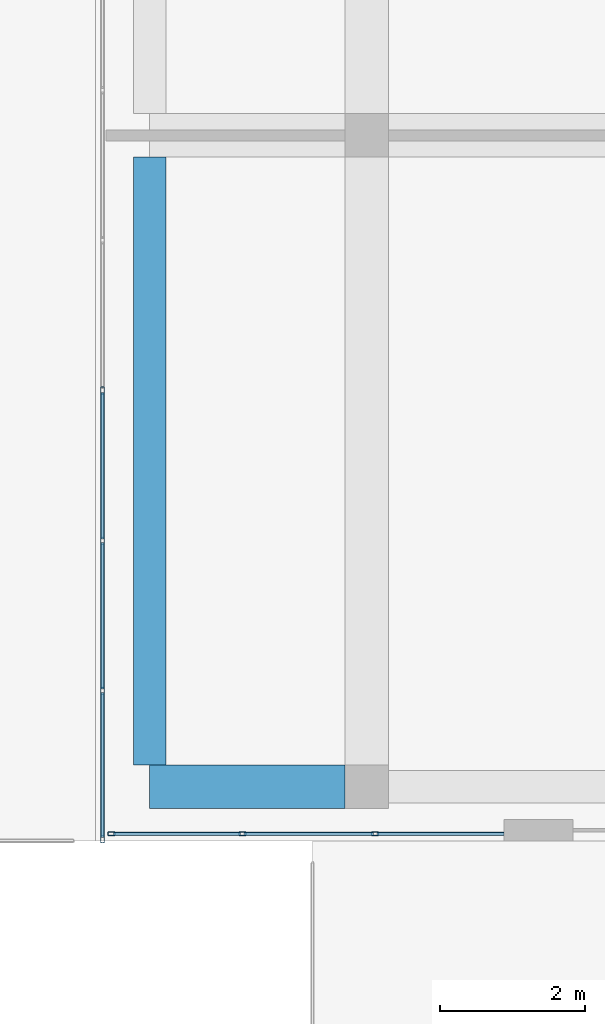
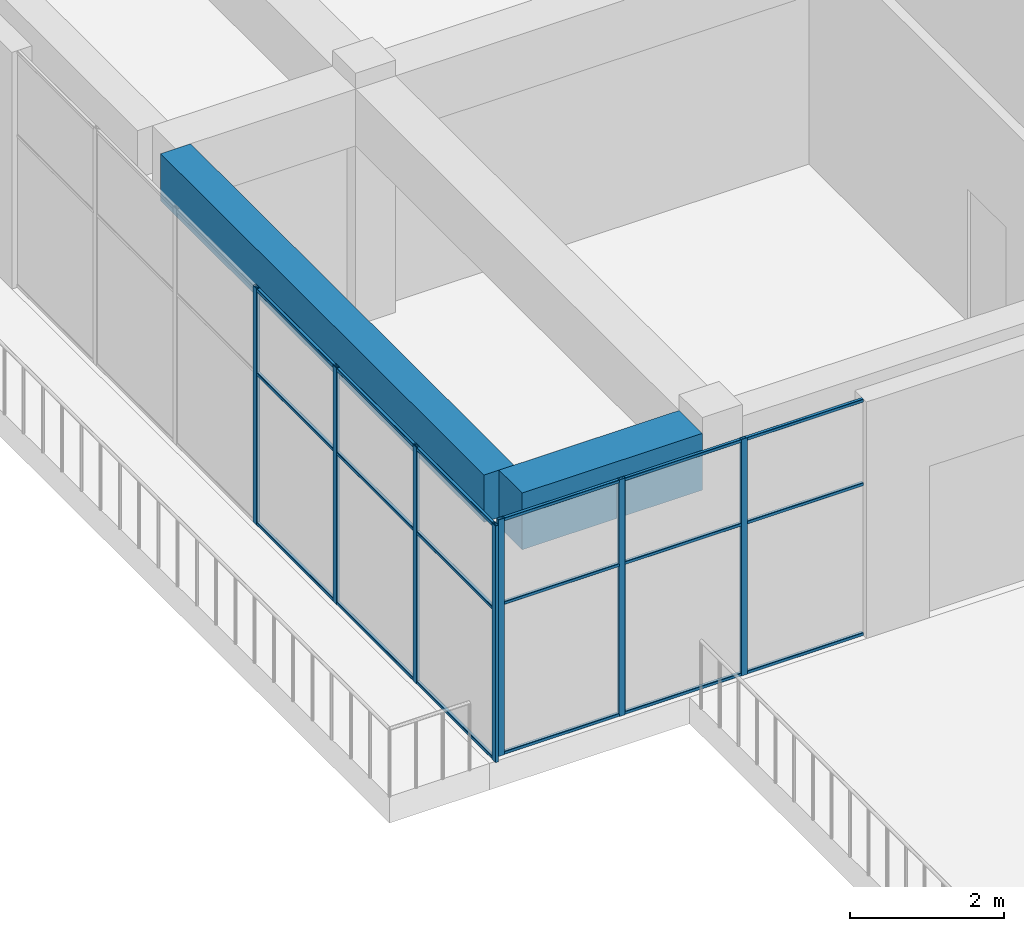
# One storey, part 1 of 32: 25 members, 2 beams, 2 elements without a shape of their own.
"""IFC4 building model written with IfcOpenShell, lengths in metres."""

from ifc_helpers import new_model, si_unit, direction, frame, origin, origin_2d, place, context, subcontext, project, spatial, rectangle, hollow_rectangle, extrude, material, layer, layer_set, material_profile, profile_set, type_object, element, aggregate, save


model = new_model("IFC4")

# Units and contexts
model_context = context("Model", 3, precision=1e-05, world=origin(), true_north=direction((0.0, 1.0)))
body_context = subcontext(model_context, "Body", "Model", "MODEL_VIEW")
ifc_project = project(units=[si_unit("LENGTHUNIT", "METRE"), si_unit("AREAUNIT", "SQUARE_METRE"), si_unit("VOLUMEUNIT", "CUBIC_METRE"), si_unit("PLANEANGLEUNIT", "RADIAN"), si_unit("MASSUNIT", "GRAM", prefix="KILO")], contexts=[model_context])

# Site, building, storey
site_placement = place(None, origin())
site = spatial("IfcSite", under=ifc_project, at=site_placement, CompositionType="ELEMENT")
building_placement = place(site_placement, origin())
building = spatial("IfcBuilding", under=site, at=building_placement, Name="Tuart Plaza Theatre", CompositionType="ELEMENT")
storey_placement = place(building_placement, frame((0.0, 0.0, 41.5)))
storey = spatial("IfcBuildingStorey", under=building, at=storey_placement, Name="L10", CompositionType="ELEMENT", Elevation=41.5)

# Beams
ifc_material_1 = material(Name="Concrete N40 (40 MPa)", Category="concrete")
ifc_material_profile_1 = material_profile(ifc_material_1, rectangle(XDim=0.449951171875, YDim=0.75, at=origin_2d()), Name="BEAM 450x750 Concrete N40 (40 MPa)")
ifc_profile_set_1 = profile_set([ifc_material_profile_1], Name="Concrete N40 (40 MPa)")
beam_type_1 = type_object("IfcBeamType", Name="BEAM 450x750 Concrete N40 (40 MPa)", PredefinedType="BEAM", material=ifc_profile_set_1)
beam_1_placement = place(storey_placement, frame((111.0, 65.300048828125, 3.375), z_axis=(0.0, 1.0, 0.0), x_axis=(-1.0, 0.0, 0.0)))
element("IfcBeam", 1, at=beam_1_placement, inside=storey, type_object=beam_type_1, Name="RB282", PredefinedType="BEAM", context=body_context, shape_type="SweptSolid", body=[
    extrude(rectangle(XDim=0.449951171875, YDim=0.75, at=origin_2d()), origin(), (0.0, 0.0, 1.0), 8.39990234375),
])
ifc_material_2 = material(Name="Concrete N40 (40 MPa)", Category="concrete")
ifc_material_profile_2 = material_profile(ifc_material_2, rectangle(XDim=0.60009765625, YDim=0.89990234375, at=origin_2d()), Name="BEAM 600x900 Concrete N40 (40 MPa)")
ifc_profile_set_2 = profile_set([ifc_material_profile_2], Name="Concrete N40 (40 MPa)")
beam_type_2 = type_object("IfcBeamType", Name="BEAM 600x900 Concrete N40 (40 MPa)", PredefinedType="BEAM", material=ifc_profile_set_2)
beam_2_placement = place(storey_placement, frame((111.0, 65.0, 3.300048828125), z_axis=(1.0, 0.0, 0.0), x_axis=(0.0, 1.0, 0.0)))
element("IfcBeam", 2, at=beam_2_placement, inside=storey, type_object=beam_type_2, Name="RB283", PredefinedType="BEAM", context=body_context, shape_type="SweptSolid", body=[
    extrude(rectangle(XDim=0.60009765625, YDim=0.89990234375, at=origin_2d()), origin(), (0.0, 0.0, 1.0), 2.699951171875),
])

# Curtain wall, members
ifc_material_3 = material(Name="Aluminium and glass", Category="aluminium")
ifc_layer = layer(ifc_material_3, 0.10009765625)
ifc_layer_set = layer_set([ifc_layer], Name="CURTAIN WALL 2000 module")
curtain_wall_type = type_object("IfcCurtainWallType", Name="CURTAIN WALL 2000 module", PredefinedType="NOTDEFINED", material=ifc_layer_set)
curtain_wall_1_placement = place(storey_placement, origin())
curtain_wall_1 = element("IfcCurtainWall", 3, at=curtain_wall_1_placement, inside=storey, type_object=curtain_wall_type, Name="CW107", PredefinedType="NOTDEFINED")
ifc_material_4 = material(Name="Aluminium 6063-T5", Category="aluminium")
ifc_material_profile_3 = material_profile(ifc_material_4, hollow_rectangle(XDim=0.050048828125, YDim=0.10009765625, WallThickness=0.00390625, InnerFilletRadius=0.00390625, OuterFilletRadius=0.008056640625, at=origin_2d()), Name="RHS 100x50x4")
ifc_profile_set_3 = profile_set([ifc_material_profile_3], Name="Aluminium 6063-T5")
member_type_1 = type_object("IfcMemberType", Name="MULLION RHS 100x50x4", PredefinedType="MULLION", material=ifc_profile_set_3)
member_1_placement = place(storey_placement, frame((110.35009765625, 70.47509765625, 0.0), z_axis=(0.0, 0.0, 1.0), x_axis=(1.0, 0.0, 0.0)))
member_1 = element("IfcMember", 4, at=member_1_placement, type_object=member_type_1, Name="CW107 mullion 4", PredefinedType="MULLION", context=body_context, shape_type="SweptSolid", body=[
    extrude(hollow_rectangle(XDim=0.050048828125, YDim=0.10009765625, WallThickness=0.00390625, InnerFilletRadius=0.00390625, OuterFilletRadius=0.008056640625, at=origin_2d()), origin(), (0.0, 0.0, 1.0), 3.75),
])
member_2_placement = place(storey_placement, frame((110.35009765625, 68.39990234375, 0.0), z_axis=(0.0, 0.0, 1.0), x_axis=(1.0, 0.0, 0.0)))
member_2 = element("IfcMember", 5, at=member_2_placement, type_object=member_type_1, Name="CW107 mullion 5", PredefinedType="MULLION", context=body_context, shape_type="SweptSolid", body=[
    extrude(hollow_rectangle(XDim=0.050048828125, YDim=0.10009765625, WallThickness=0.00390625, InnerFilletRadius=0.00390625, OuterFilletRadius=0.008056640625, at=origin_2d()), origin(), (0.0, 0.0, 1.0), 3.75),
])
member_3_placement = place(storey_placement, frame((110.35009765625, 66.324951171875, 0.0), z_axis=(0.0, 0.0, 1.0), x_axis=(1.0, 0.0, 0.0)))
member_3 = element("IfcMember", 6, at=member_3_placement, type_object=member_type_1, Name="CW107 mullion 6", PredefinedType="MULLION", context=body_context, shape_type="SweptSolid", body=[
    extrude(hollow_rectangle(XDim=0.050048828125, YDim=0.10009765625, WallThickness=0.00390625, InnerFilletRadius=0.00390625, OuterFilletRadius=0.008056640625, at=origin_2d()), origin(), (0.0, 0.0, 1.0), 3.75),
])
member_4_placement = place(storey_placement, frame((110.35009765625, 64.27490234375, 0.0), z_axis=(0.0, 0.0, 1.0), x_axis=(1.0, 0.0, 0.0)))
member_4 = element("IfcMember", 7, at=member_4_placement, type_object=member_type_1, Name="CW107 mullion 7", PredefinedType="MULLION", context=body_context, shape_type="SweptSolid", body=[
    extrude(hollow_rectangle(XDim=0.050048828125, YDim=0.10009765625, WallThickness=0.00390625, InnerFilletRadius=0.00390625, OuterFilletRadius=0.008056640625, at=origin_2d()), origin(), (0.0, 0.0, 1.0), 3.75),
])

curtain_wall_2_placement = place(storey_placement, origin())
curtain_wall_2 = element("IfcCurtainWall", 8, at=curtain_wall_2_placement, inside=storey, type_object=curtain_wall_type, Name="CW108", PredefinedType="NOTDEFINED")
member_5_placement = place(storey_placement, frame((110.47509765625, 64.35009765625, 0.0), z_axis=(0.0, 0.0, 1.0), x_axis=(0.0, 1.0, 0.0)))
member_5 = element("IfcMember", 9, at=member_5_placement, type_object=member_type_1, Name="CW108 mullion 1", PredefinedType="MULLION", context=body_context, shape_type="SweptSolid", body=[
    extrude(hollow_rectangle(XDim=0.050048828125, YDim=0.10009765625, WallThickness=0.00390625, InnerFilletRadius=0.00390625, OuterFilletRadius=0.008056640625, at=origin_2d()), origin(), (0.0, 0.0, 1.0), 3.75),
])
member_6_placement = place(storey_placement, frame((112.283447265625, 64.35009765625, 0.0), z_axis=(0.0, 0.0, 1.0), x_axis=(0.0, 1.0, 0.0)))
member_6 = element("IfcMember", 10, at=member_6_placement, type_object=member_type_1, Name="CW108 mullion 2", PredefinedType="MULLION", context=body_context, shape_type="SweptSolid", body=[
    extrude(hollow_rectangle(XDim=0.050048828125, YDim=0.10009765625, WallThickness=0.00390625, InnerFilletRadius=0.00390625, OuterFilletRadius=0.008056640625, at=origin_2d()), origin(), (0.0, 0.0, 1.0), 3.75),
])
member_7_placement = place(storey_placement, frame((114.11669921875, 64.35009765625, 0.0), z_axis=(0.0, 0.0, 1.0), x_axis=(0.0, 1.0, 0.0)))
member_7 = element("IfcMember", 11, at=member_7_placement, type_object=member_type_1, Name="CW108 mullion 3", PredefinedType="MULLION", context=body_context, shape_type="SweptSolid", body=[
    extrude(hollow_rectangle(XDim=0.050048828125, YDim=0.10009765625, WallThickness=0.00390625, InnerFilletRadius=0.00390625, OuterFilletRadius=0.008056640625, at=origin_2d()), origin(), (0.0, 0.0, 1.0), 3.75),
])

# Member
ifc_material_5 = material(Name="Aluminium 6063-T5", Category="aluminium")
ifc_material_profile_4 = material_profile(ifc_material_5, hollow_rectangle(XDim=0.050048828125, YDim=0.050048828125, WallThickness=0.00390625, InnerFilletRadius=0.00390625, OuterFilletRadius=0.008056640625, at=origin_2d()), Name="RHS 50x50x4")
ifc_profile_set_4 = profile_set([ifc_material_profile_4], Name="Aluminium 6063-T5")
member_type_2 = type_object("IfcMemberType", Name="TRANSOM RHS 50x50x4", PredefinedType="USERDEFINED", material=ifc_profile_set_4)
member_8_placement = place(storey_placement, frame((110.35009765625, 70.449951171875, 0.02490234375), z_axis=(0.0, -1.0, 0.0), x_axis=(1.0, 0.0, 0.0)))
member_8 = element("IfcMember", 12, at=member_8_placement, type_object=member_type_2, Name="CW107 transom 4.1", ObjectType="TRANSOM", PredefinedType="USERDEFINED", context=body_context, shape_type="SweptSolid", body=[
    extrude(hollow_rectangle(XDim=0.050048828125, YDim=0.050048828125, WallThickness=0.00390625, InnerFilletRadius=0.00390625, OuterFilletRadius=0.008056640625, at=origin_2d()), origin(), (0.0, 0.0, 1.0), 2.02490234375),
])

member_9_placement = place(storey_placement, frame((110.35009765625, 70.449951171875, 2.39990234375), z_axis=(0.0, -1.0, 0.0), x_axis=(1.0, 0.0, 0.0)))
member_9 = element("IfcMember", 13, at=member_9_placement, type_object=member_type_2, Name="CW107 transom 4.2", ObjectType="TRANSOM", PredefinedType="USERDEFINED", context=body_context, shape_type="SweptSolid", body=[
    extrude(hollow_rectangle(XDim=0.050048828125, YDim=0.050048828125, WallThickness=0.00390625, InnerFilletRadius=0.00390625, OuterFilletRadius=0.008056640625, at=origin_2d()), origin(), (0.0, 0.0, 1.0), 2.02490234375),
])

member_10_placement = place(storey_placement, frame((110.35009765625, 70.449951171875, 3.72509765625), z_axis=(0.0, -1.0, 0.0), x_axis=(1.0, 0.0, 0.0)))
member_10 = element("IfcMember", 14, at=member_10_placement, type_object=member_type_2, Name="CW107 transom 4.3", ObjectType="TRANSOM", PredefinedType="USERDEFINED", context=body_context, shape_type="SweptSolid", body=[
    extrude(hollow_rectangle(XDim=0.050048828125, YDim=0.050048828125, WallThickness=0.00390625, InnerFilletRadius=0.00390625, OuterFilletRadius=0.008056640625, at=origin_2d()), origin(), (0.0, 0.0, 1.0), 2.02490234375),
])

member_11_placement = place(storey_placement, frame((110.35009765625, 68.375, 0.02490234375), z_axis=(0.0, -1.0, 0.0), x_axis=(1.0, 0.0, 0.0)))
member_11 = element("IfcMember", 15, at=member_11_placement, type_object=member_type_2, Name="CW107 transom 5.1", ObjectType="TRANSOM", PredefinedType="USERDEFINED", context=body_context, shape_type="SweptSolid", body=[
    extrude(hollow_rectangle(XDim=0.050048828125, YDim=0.050048828125, WallThickness=0.00390625, InnerFilletRadius=0.00390625, OuterFilletRadius=0.008056640625, at=origin_2d()), origin(), (0.0, 0.0, 1.0), 2.02490234375),
])

member_12_placement = place(storey_placement, frame((110.35009765625, 68.375, 2.39990234375), z_axis=(0.0, -1.0, 0.0), x_axis=(1.0, 0.0, 0.0)))
member_12 = element("IfcMember", 16, at=member_12_placement, type_object=member_type_2, Name="CW107 transom 5.2", ObjectType="TRANSOM", PredefinedType="USERDEFINED", context=body_context, shape_type="SweptSolid", body=[
    extrude(hollow_rectangle(XDim=0.050048828125, YDim=0.050048828125, WallThickness=0.00390625, InnerFilletRadius=0.00390625, OuterFilletRadius=0.008056640625, at=origin_2d()), origin(), (0.0, 0.0, 1.0), 2.02490234375),
])

member_13_placement = place(storey_placement, frame((110.35009765625, 68.375, 3.72509765625), z_axis=(0.0, -1.0, 0.0), x_axis=(1.0, 0.0, 0.0)))
member_13 = element("IfcMember", 17, at=member_13_placement, type_object=member_type_2, Name="CW107 transom 5.3", ObjectType="TRANSOM", PredefinedType="USERDEFINED", context=body_context, shape_type="SweptSolid", body=[
    extrude(hollow_rectangle(XDim=0.050048828125, YDim=0.050048828125, WallThickness=0.00390625, InnerFilletRadius=0.00390625, OuterFilletRadius=0.008056640625, at=origin_2d()), origin(), (0.0, 0.0, 1.0), 2.02490234375),
])

member_14_placement = place(storey_placement, frame((110.35009765625, 66.300048828125, 0.02490234375), z_axis=(0.0, -1.0, 0.0), x_axis=(1.0, 0.0, 0.0)))
member_14 = element("IfcMember", 18, at=member_14_placement, type_object=member_type_2, Name="CW107 transom 6.1", ObjectType="TRANSOM", PredefinedType="USERDEFINED", context=body_context, shape_type="SweptSolid", body=[
    extrude(hollow_rectangle(XDim=0.050048828125, YDim=0.050048828125, WallThickness=0.00390625, InnerFilletRadius=0.00390625, OuterFilletRadius=0.008056640625, at=origin_2d()), origin(), (0.0, 0.0, 1.0), 2.0),
])

member_15_placement = place(storey_placement, frame((110.35009765625, 66.300048828125, 2.39990234375), z_axis=(0.0, -1.0, 0.0), x_axis=(1.0, 0.0, 0.0)))
member_15 = element("IfcMember", 19, at=member_15_placement, type_object=member_type_2, Name="CW107 transom 6.2", ObjectType="TRANSOM", PredefinedType="USERDEFINED", context=body_context, shape_type="SweptSolid", body=[
    extrude(hollow_rectangle(XDim=0.050048828125, YDim=0.050048828125, WallThickness=0.00390625, InnerFilletRadius=0.00390625, OuterFilletRadius=0.008056640625, at=origin_2d()), origin(), (0.0, 0.0, 1.0), 2.0),
])

member_16_placement = place(storey_placement, frame((110.35009765625, 66.300048828125, 3.72509765625), z_axis=(0.0, -1.0, 0.0), x_axis=(1.0, 0.0, 0.0)))
member_16 = element("IfcMember", 20, at=member_16_placement, type_object=member_type_2, Name="CW107 transom 6.3", ObjectType="TRANSOM", PredefinedType="USERDEFINED", context=body_context, shape_type="SweptSolid", body=[
    extrude(hollow_rectangle(XDim=0.050048828125, YDim=0.050048828125, WallThickness=0.00390625, InnerFilletRadius=0.00390625, OuterFilletRadius=0.008056640625, at=origin_2d()), origin(), (0.0, 0.0, 1.0), 2.0),
])

aggregate(curtain_wall_1, [member_1, member_2, member_3, member_4, member_8, member_9, member_10, member_11, member_12, member_13, member_14, member_15, member_16])

member_17_placement = place(storey_placement, frame((110.5, 64.35009765625, 0.02490234375), z_axis=(1.0, 0.0, 0.0), x_axis=(0.0, 1.0, 0.0)))
member_17 = element("IfcMember", 21, at=member_17_placement, type_object=member_type_2, Name="CW108 transom 1.1", ObjectType="TRANSOM", PredefinedType="USERDEFINED", context=body_context, shape_type="SweptSolid", body=[
    extrude(hollow_rectangle(XDim=0.050048828125, YDim=0.050048828125, WallThickness=0.00390625, InnerFilletRadius=0.00390625, OuterFilletRadius=0.008056640625, at=origin_2d()), origin(), (0.0, 0.0, 1.0), 1.75830078125),
])

member_18_placement = place(storey_placement, frame((110.5, 64.35009765625, 2.39990234375), z_axis=(1.0, 0.0, 0.0), x_axis=(0.0, 1.0, 0.0)))
member_18 = element("IfcMember", 22, at=member_18_placement, type_object=member_type_2, Name="CW108 transom 1.2", ObjectType="TRANSOM", PredefinedType="USERDEFINED", context=body_context, shape_type="SweptSolid", body=[
    extrude(hollow_rectangle(XDim=0.050048828125, YDim=0.050048828125, WallThickness=0.00390625, InnerFilletRadius=0.00390625, OuterFilletRadius=0.008056640625, at=origin_2d()), origin(), (0.0, 0.0, 1.0), 1.75830078125),
])

member_19_placement = place(storey_placement, frame((110.5, 64.35009765625, 3.72509765625), z_axis=(1.0, 0.0, 0.0), x_axis=(0.0, 1.0, 0.0)))
member_19 = element("IfcMember", 23, at=member_19_placement, type_object=member_type_2, Name="CW108 transom 1.3", ObjectType="TRANSOM", PredefinedType="USERDEFINED", context=body_context, shape_type="SweptSolid", body=[
    extrude(hollow_rectangle(XDim=0.050048828125, YDim=0.050048828125, WallThickness=0.00390625, InnerFilletRadius=0.00390625, OuterFilletRadius=0.008056640625, at=origin_2d()), origin(), (0.0, 0.0, 1.0), 1.75830078125),
])

member_20_placement = place(storey_placement, frame((112.308349609375, 64.35009765625, 0.02490234375), z_axis=(1.0, 0.0, 0.0), x_axis=(0.0, 1.0, 0.0)))
member_20 = element("IfcMember", 24, at=member_20_placement, type_object=member_type_2, Name="CW108 transom 2.1", ObjectType="TRANSOM", PredefinedType="USERDEFINED", context=body_context, shape_type="SweptSolid", body=[
    extrude(hollow_rectangle(XDim=0.050048828125, YDim=0.050048828125, WallThickness=0.00390625, InnerFilletRadius=0.00390625, OuterFilletRadius=0.008056640625, at=origin_2d()), origin(), (0.0, 0.0, 1.0), 1.783203125),
])

member_21_placement = place(storey_placement, frame((112.308349609375, 64.35009765625, 2.39990234375), z_axis=(1.0, 0.0, 0.0), x_axis=(0.0, 1.0, 0.0)))
member_21 = element("IfcMember", 25, at=member_21_placement, type_object=member_type_2, Name="CW108 transom 2.2", ObjectType="TRANSOM", PredefinedType="USERDEFINED", context=body_context, shape_type="SweptSolid", body=[
    extrude(hollow_rectangle(XDim=0.050048828125, YDim=0.050048828125, WallThickness=0.00390625, InnerFilletRadius=0.00390625, OuterFilletRadius=0.008056640625, at=origin_2d()), origin(), (0.0, 0.0, 1.0), 1.783203125),
])

member_22_placement = place(storey_placement, frame((112.308349609375, 64.35009765625, 3.72509765625), z_axis=(1.0, 0.0, 0.0), x_axis=(0.0, 1.0, 0.0)))
member_22 = element("IfcMember", 26, at=member_22_placement, type_object=member_type_2, Name="CW108 transom 2.3", ObjectType="TRANSOM", PredefinedType="USERDEFINED", context=body_context, shape_type="SweptSolid", body=[
    extrude(hollow_rectangle(XDim=0.050048828125, YDim=0.050048828125, WallThickness=0.00390625, InnerFilletRadius=0.00390625, OuterFilletRadius=0.008056640625, at=origin_2d()), origin(), (0.0, 0.0, 1.0), 1.783203125),
])

member_23_placement = place(storey_placement, frame((114.1416015625, 64.35009765625, 0.02490234375), z_axis=(1.0, 0.0, 0.0), x_axis=(0.0, 1.0, 0.0)))
member_23 = element("IfcMember", 27, at=member_23_placement, type_object=member_type_2, Name="CW108 transom 3.1", ObjectType="TRANSOM", PredefinedType="USERDEFINED", context=body_context, shape_type="SweptSolid", body=[
    extrude(hollow_rectangle(XDim=0.050048828125, YDim=0.050048828125, WallThickness=0.00390625, InnerFilletRadius=0.00390625, OuterFilletRadius=0.008056640625, at=origin_2d()), origin(), (0.0, 0.0, 1.0), 1.75830078125),
])

member_24_placement = place(storey_placement, frame((114.1416015625, 64.35009765625, 2.39990234375), z_axis=(1.0, 0.0, 0.0), x_axis=(0.0, 1.0, 0.0)))
member_24 = element("IfcMember", 28, at=member_24_placement, type_object=member_type_2, Name="CW108 transom 3.2", ObjectType="TRANSOM", PredefinedType="USERDEFINED", context=body_context, shape_type="SweptSolid", body=[
    extrude(hollow_rectangle(XDim=0.050048828125, YDim=0.050048828125, WallThickness=0.00390625, InnerFilletRadius=0.00390625, OuterFilletRadius=0.008056640625, at=origin_2d()), origin(), (0.0, 0.0, 1.0), 1.75830078125),
])

member_25_placement = place(storey_placement, frame((114.1416015625, 64.35009765625, 3.72509765625), z_axis=(1.0, 0.0, 0.0), x_axis=(0.0, 1.0, 0.0)))
member_25 = element("IfcMember", 29, at=member_25_placement, type_object=member_type_2, Name="CW108 transom 3.3", ObjectType="TRANSOM", PredefinedType="USERDEFINED", context=body_context, shape_type="SweptSolid", body=[
    extrude(hollow_rectangle(XDim=0.050048828125, YDim=0.050048828125, WallThickness=0.00390625, InnerFilletRadius=0.00390625, OuterFilletRadius=0.008056640625, at=origin_2d()), origin(), (0.0, 0.0, 1.0), 1.75830078125),
])

aggregate(curtain_wall_2, [member_5, member_6, member_7, member_17, member_18, member_19, member_20, member_21, member_22, member_23, member_24, member_25])

save(model, "model.ifc")
